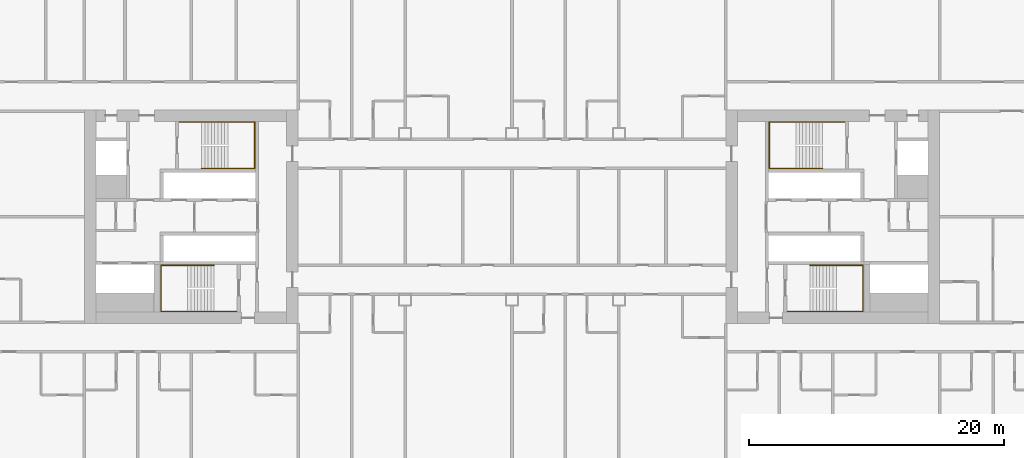
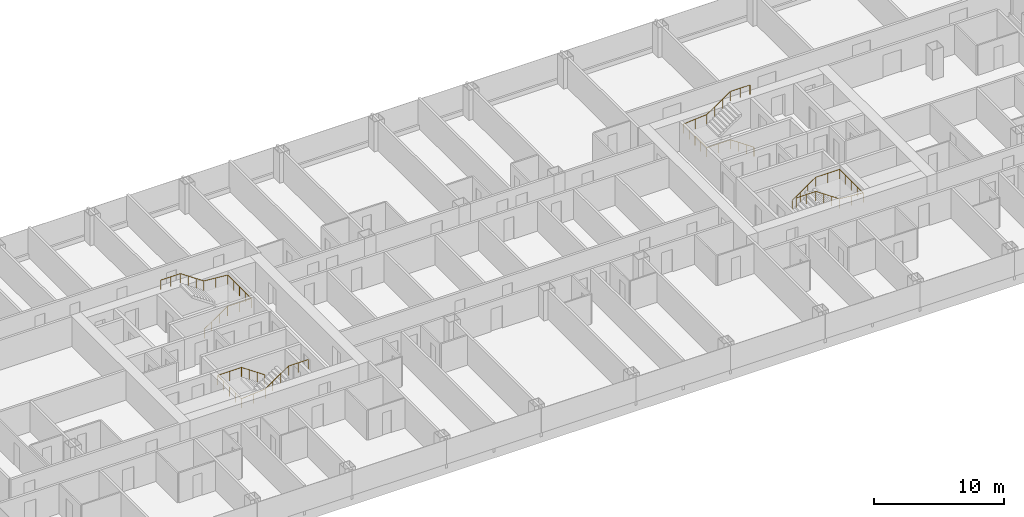
# One storey, part 29 of 29: 4 railings.
"""IFC4 building model written with IfcOpenShell, lengths in metres."""

from ifc_helpers import new_model, si_unit, direction, frame, origin, origin_2d, place, context, subcontext, project, spatial, circle, extrude, material, type_object, element, save


model = new_model("IFC4")

# Units and contexts
model_context = context("Model", 3, precision=1e-05, world=origin(), true_north=direction((0.0, 1.0)))
body_context = subcontext(model_context, "Body", "Model", "MODEL_VIEW")
ifc_project = project(units=[si_unit("LENGTHUNIT", "METRE"), si_unit("AREAUNIT", "SQUARE_METRE"), si_unit("VOLUMEUNIT", "CUBIC_METRE"), si_unit("PLANEANGLEUNIT", "RADIAN"), si_unit("MASSUNIT", "GRAM", prefix="KILO")], contexts=[model_context])

# Site, building, storey
site_placement = place(None, origin())
site = spatial("IfcSite", under=ifc_project, at=site_placement, CompositionType="ELEMENT")
building_placement = place(site_placement, origin())
building = spatial("IfcBuilding", under=site, at=building_placement, Name="Hakoniwa Tower and Hamabe Station Hall", CompositionType="ELEMENT")
storey_placement = place(building_placement, frame((0.0, 0.0, 29.39990234375)))
storey = spatial("IfcBuildingStorey", under=building, at=storey_placement, Name="L07", CompositionType="ELEMENT", Elevation=29.39990234375)

# Railings
ifc_material = material(Name="Stainless steel SUS304", Category="steel")
railing_type = type_object("IfcRailingType", Name="STAIR HANDRAIL 900", PredefinedType="HANDRAIL", material=ifc_material)
railing_1_placement = place(storey_placement, frame((-24.39990234375, 3.81005859375, 0.177978515625)))
element("IfcRailing", 1, at=railing_1_placement, inside=storey, type_object=railing_type, Name="Handrail ST-1 L07 1", PredefinedType="HANDRAIL", context=body_context, shape_type="SweptSolid", body=[
    extrude(circle(Radius=0.02392578125, at=origin_2d()), frame((0.0, 0.0, 0.8759765625), z_axis=(0.825478349766, 0.0, 0.564433781827), x_axis=(0.0, 1.0, 0.0)), (0.0, 0.0, 1.0), 2.51953125),
    extrude(circle(Radius=0.02392578125, at=origin_2d()), frame((2.079833984375, 0.0, 2.2978515625), z_axis=(1.0, 0.0, 0.0), x_axis=(0.0, 1.0, 0.0)), (0.0, 0.0, 1.0), 2.110107421875),
    extrude(circle(Radius=0.02392578125, at=origin_2d()), frame((4.18994140625, 0.0, 2.2978515625), z_axis=(0.0, 1.0, 0.0), x_axis=(-1.0, 0.0, 0.0)), (0.0, 0.0, 1.0), 3.6298828125),
    extrude(circle(Radius=0.02392578125, at=origin_2d()), frame((4.18994140625, 3.6298828125, 2.2978515625), z_axis=(-0.996471417081, 0.0, 0.083932800143), x_axis=(0.0, -1.0, 0.0)), (0.0, 0.0, 1.0), 2.11767578125),
    extrude(circle(Radius=0.02392578125, at=origin_2d()), frame((2.079833984375, 3.6298828125, 2.4755859375), z_axis=(-0.825433201882, 0.0, 0.564499804456), x_axis=(0.0, -1.0, 0.0)), (0.0, 0.0, 1.0), 2.519775390625),
    extrude(circle(Radius=0.02392578125, at=origin_2d()), frame((0.0, 3.6298828125, 3.89794921875), z_axis=(-1.0, 0.0, 0.0), x_axis=(0.0, -1.0, 0.0)), (0.0, 0.0, 1.0), 1.739990234375),
    extrude(circle(Radius=0.02099609375, at=origin_2d()), origin(), (0.0, 0.0, 1.0), 0.851806640625),
    extrude(circle(Radius=0.02099609375, at=origin_2d()), frame((0.693359375, 0.0, 0.47412109375)), (0.0, 0.0, 1.0), 0.851806640625),
    extrude(circle(Radius=0.02099609375, at=origin_2d()), frame((1.386474609375, 0.0, 0.947998046875)), (0.0, 0.0, 1.0), 0.851806640625),
    extrude(circle(Radius=0.02099609375, at=origin_2d()), frame((2.079833984375, 0.0, 1.422119140625)), (0.0, 0.0, 1.0), 0.851806640625),
    extrude(circle(Radius=0.02099609375, at=origin_2d()), frame((3.134765625, 0.0, 1.422119140625)), (0.0, 0.0, 1.0), 0.851806640625),
    extrude(circle(Radius=0.02099609375, at=origin_2d()), frame((4.18994140625, 0.0, 1.422119140625)), (0.0, 0.0, 1.0), 0.851806640625),
    extrude(circle(Radius=0.02099609375, at=origin_2d()), frame((4.18994140625, 0.907470703125, 1.422119140625)), (0.0, 0.0, 1.0), 0.851806640625),
    extrude(circle(Radius=0.02099609375, at=origin_2d()), frame((4.18994140625, 1.81494140625, 1.422119140625)), (0.0, 0.0, 1.0), 0.851806640625),
    extrude(circle(Radius=0.02099609375, at=origin_2d()), frame((4.18994140625, 2.722412109375, 1.422119140625)), (0.0, 0.0, 1.0), 0.851806640625),
    extrude(circle(Radius=0.02099609375, at=origin_2d()), frame((4.18994140625, 3.6298828125, 1.422119140625)), (0.0, 0.0, 1.0), 0.851806640625),
    extrude(circle(Radius=0.02099609375, at=origin_2d()), frame((3.134765625, 3.6298828125, 1.510986328125)), (0.0, 0.0, 1.0), 0.851806640625),
    extrude(circle(Radius=0.02099609375, at=origin_2d()), frame((2.079833984375, 3.6298828125, 1.599853515625)), (0.0, 0.0, 1.0), 0.851806640625),
    extrude(circle(Radius=0.02099609375, at=origin_2d()), frame((1.386474609375, 3.6298828125, 2.073974609375)), (0.0, 0.0, 1.0), 0.851806640625),
    extrude(circle(Radius=0.02099609375, at=origin_2d()), frame((0.693359375, 3.6298828125, 2.548095703125)), (0.0, 0.0, 1.0), 0.851806640625),
    extrude(circle(Radius=0.02099609375, at=origin_2d()), frame((0.0, 3.6298828125, 3.022216796875)), (0.0, 0.0, 1.0), 0.851806640625),
    extrude(circle(Radius=0.02099609375, at=origin_2d()), frame((-0.8701171875, 3.6298828125, 3.022216796875)), (0.0, 0.0, 1.0), 0.851806640625),
    extrude(circle(Radius=0.02099609375, at=origin_2d()), frame((-1.739990234375, 3.6298828125, 3.022216796875)), (0.0, 0.0, 1.0), 0.851806640625),
])
railing_2_placement = place(storey_placement, frame((-23.39990234375, -3.81005859375, 0.177978515625)))
element("IfcRailing", 2, at=railing_2_placement, inside=storey, type_object=railing_type, Name="Handrail ST-2 L07 1", PredefinedType="HANDRAIL", context=body_context, shape_type="SweptSolid", body=[
    extrude(circle(Radius=0.02392578125, at=origin_2d()), frame((0.0, 0.0, 0.8759765625), z_axis=(-0.82550921652, 0.0, 0.564388636881), x_axis=(0.0, -1.0, 0.0)), (0.0, 0.0, 1.0), 2.519775390625),
    extrude(circle(Radius=0.02392578125, at=origin_2d()), frame((-2.080078125, 0.0, 2.2978515625), z_axis=(-1.0, 0.0, 0.0), x_axis=(0.0, -1.0, 0.0)), (0.0, 0.0, 1.0), 2.110107421875),
    extrude(circle(Radius=0.02392578125, at=origin_2d()), frame((-4.190185546875, 0.0, 2.2978515625), z_axis=(0.0, -1.0, 0.0), x_axis=(1.0, 0.0, 0.0)), (0.0, 0.0, 1.0), 3.6298828125),
    extrude(circle(Radius=0.02392578125, at=origin_2d()), frame((-4.190185546875, -3.6298828125, 2.2978515625), z_axis=(0.996471417081, 0.0, 0.083932800143), x_axis=(0.0, 1.0, 0.0)), (0.0, 0.0, 1.0), 2.11767578125),
    extrude(circle(Radius=0.02392578125, at=origin_2d()), frame((-2.080078125, -3.6298828125, 2.4755859375), z_axis=(0.825464074169, 0.0, 0.564454659168), x_axis=(0.0, 1.0, 0.0)), (0.0, 0.0, 1.0), 2.519775390625),
    extrude(circle(Radius=0.02392578125, at=origin_2d()), frame((0.0, -3.6298828125, 3.89794921875), z_axis=(1.0, 0.0, 0.0), x_axis=(0.0, 1.0, 0.0)), (0.0, 0.0, 1.0), 1.739990234375),
    extrude(circle(Radius=0.02099609375, at=origin_2d()), origin(), (0.0, 0.0, 1.0), 0.851806640625),
    extrude(circle(Radius=0.02099609375, at=origin_2d()), frame((-0.693359375, 0.0, 0.47412109375)), (0.0, 0.0, 1.0), 0.851806640625),
    extrude(circle(Radius=0.02099609375, at=origin_2d()), frame((-1.38671875, 0.0, 0.947998046875)), (0.0, 0.0, 1.0), 0.851806640625),
    extrude(circle(Radius=0.02099609375, at=origin_2d()), frame((-2.080078125, 0.0, 1.422119140625)), (0.0, 0.0, 1.0), 0.851806640625),
    extrude(circle(Radius=0.02099609375, at=origin_2d()), frame((-3.13525390625, 0.0, 1.422119140625)), (0.0, 0.0, 1.0), 0.851806640625),
    extrude(circle(Radius=0.02099609375, at=origin_2d()), frame((-4.190185546875, 0.0, 1.422119140625)), (0.0, 0.0, 1.0), 0.851806640625),
    extrude(circle(Radius=0.02099609375, at=origin_2d()), frame((-4.190185546875, -0.907470703125, 1.422119140625)), (0.0, 0.0, 1.0), 0.851806640625),
    extrude(circle(Radius=0.02099609375, at=origin_2d()), frame((-4.190185546875, -1.81494140625, 1.422119140625)), (0.0, 0.0, 1.0), 0.851806640625),
    extrude(circle(Radius=0.02099609375, at=origin_2d()), frame((-4.190185546875, -2.722412109375, 1.422119140625)), (0.0, 0.0, 1.0), 0.851806640625),
    extrude(circle(Radius=0.02099609375, at=origin_2d()), frame((-4.190185546875, -3.6298828125, 1.422119140625)), (0.0, 0.0, 1.0), 0.851806640625),
    extrude(circle(Radius=0.02099609375, at=origin_2d()), frame((-3.13525390625, -3.6298828125, 1.510986328125)), (0.0, 0.0, 1.0), 0.851806640625),
    extrude(circle(Radius=0.02099609375, at=origin_2d()), frame((-2.080078125, -3.6298828125, 1.599853515625)), (0.0, 0.0, 1.0), 0.851806640625),
    extrude(circle(Radius=0.02099609375, at=origin_2d()), frame((-1.38671875, -3.6298828125, 2.073974609375)), (0.0, 0.0, 1.0), 0.851806640625),
    extrude(circle(Radius=0.02099609375, at=origin_2d()), frame((-0.693359375, -3.6298828125, 2.548095703125)), (0.0, 0.0, 1.0), 0.851806640625),
    extrude(circle(Radius=0.02099609375, at=origin_2d()), frame((0.0, -3.6298828125, 3.022216796875)), (0.0, 0.0, 1.0), 0.851806640625),
    extrude(circle(Radius=0.02099609375, at=origin_2d()), frame((0.8701171875, -3.6298828125, 3.022216796875)), (0.0, 0.0, 1.0), 0.851806640625),
    extrude(circle(Radius=0.02099609375, at=origin_2d()), frame((1.739990234375, -3.6298828125, 3.022216796875)), (0.0, 0.0, 1.0), 0.851806640625),
])
railing_3_placement = place(storey_placement, frame((24.39990234375, 3.81005859375, 0.177978515625)))
element("IfcRailing", 3, at=railing_3_placement, inside=storey, type_object=railing_type, Name="Handrail ST-3 L07 1", PredefinedType="HANDRAIL", context=body_context, shape_type="SweptSolid", body=[
    extrude(circle(Radius=0.02392578125, at=origin_2d()), frame((0.0, 0.0, 0.8759765625), z_axis=(-0.825478349766, 0.0, 0.564433781827), x_axis=(0.0, -1.0, 0.0)), (0.0, 0.0, 1.0), 2.51953125),
    extrude(circle(Radius=0.02392578125, at=origin_2d()), frame((-2.079833984375, 0.0, 2.2978515625), z_axis=(-1.0, 0.0, 0.0), x_axis=(0.0, -1.0, 0.0)), (0.0, 0.0, 1.0), 2.110107421875),
    extrude(circle(Radius=0.02392578125, at=origin_2d()), frame((-4.18994140625, 0.0, 2.2978515625), z_axis=(0.0, 1.0, 0.0), x_axis=(-1.0, 0.0, 0.0)), (0.0, 0.0, 1.0), 3.6298828125),
    extrude(circle(Radius=0.02392578125, at=origin_2d()), frame((-4.18994140625, 3.6298828125, 2.2978515625), z_axis=(0.996471417081, 0.0, 0.083932800143), x_axis=(0.0, 1.0, 0.0)), (0.0, 0.0, 1.0), 2.11767578125),
    extrude(circle(Radius=0.02392578125, at=origin_2d()), frame((-2.079833984375, 3.6298828125, 2.4755859375), z_axis=(0.825433201882, 0.0, 0.564499804456), x_axis=(0.0, 1.0, 0.0)), (0.0, 0.0, 1.0), 2.519775390625),
    extrude(circle(Radius=0.02392578125, at=origin_2d()), frame((0.0, 3.6298828125, 3.89794921875), z_axis=(1.0, 0.0, 0.0), x_axis=(0.0, 1.0, 0.0)), (0.0, 0.0, 1.0), 1.739990234375),
    extrude(circle(Radius=0.02099609375, at=origin_2d()), origin(), (0.0, 0.0, 1.0), 0.851806640625),
    extrude(circle(Radius=0.02099609375, at=origin_2d()), frame((-0.693359375, 0.0, 0.47412109375)), (0.0, 0.0, 1.0), 0.851806640625),
    extrude(circle(Radius=0.02099609375, at=origin_2d()), frame((-1.386474609375, 0.0, 0.947998046875)), (0.0, 0.0, 1.0), 0.851806640625),
    extrude(circle(Radius=0.02099609375, at=origin_2d()), frame((-2.079833984375, 0.0, 1.422119140625)), (0.0, 0.0, 1.0), 0.851806640625),
    extrude(circle(Radius=0.02099609375, at=origin_2d()), frame((-3.134765625, 0.0, 1.422119140625)), (0.0, 0.0, 1.0), 0.851806640625),
    extrude(circle(Radius=0.02099609375, at=origin_2d()), frame((-4.18994140625, 0.0, 1.422119140625)), (0.0, 0.0, 1.0), 0.851806640625),
    extrude(circle(Radius=0.02099609375, at=origin_2d()), frame((-4.18994140625, 0.907470703125, 1.422119140625)), (0.0, 0.0, 1.0), 0.851806640625),
    extrude(circle(Radius=0.02099609375, at=origin_2d()), frame((-4.18994140625, 1.81494140625, 1.422119140625)), (0.0, 0.0, 1.0), 0.851806640625),
    extrude(circle(Radius=0.02099609375, at=origin_2d()), frame((-4.18994140625, 2.722412109375, 1.422119140625)), (0.0, 0.0, 1.0), 0.851806640625),
    extrude(circle(Radius=0.02099609375, at=origin_2d()), frame((-4.18994140625, 3.6298828125, 1.422119140625)), (0.0, 0.0, 1.0), 0.851806640625),
    extrude(circle(Radius=0.02099609375, at=origin_2d()), frame((-3.134765625, 3.6298828125, 1.510986328125)), (0.0, 0.0, 1.0), 0.851806640625),
    extrude(circle(Radius=0.02099609375, at=origin_2d()), frame((-2.079833984375, 3.6298828125, 1.599853515625)), (0.0, 0.0, 1.0), 0.851806640625),
    extrude(circle(Radius=0.02099609375, at=origin_2d()), frame((-1.386474609375, 3.6298828125, 2.073974609375)), (0.0, 0.0, 1.0), 0.851806640625),
    extrude(circle(Radius=0.02099609375, at=origin_2d()), frame((-0.693359375, 3.6298828125, 2.548095703125)), (0.0, 0.0, 1.0), 0.851806640625),
    extrude(circle(Radius=0.02099609375, at=origin_2d()), frame((0.0, 3.6298828125, 3.022216796875)), (0.0, 0.0, 1.0), 0.851806640625),
    extrude(circle(Radius=0.02099609375, at=origin_2d()), frame((0.8701171875, 3.6298828125, 3.022216796875)), (0.0, 0.0, 1.0), 0.851806640625),
    extrude(circle(Radius=0.02099609375, at=origin_2d()), frame((1.739990234375, 3.6298828125, 3.022216796875)), (0.0, 0.0, 1.0), 0.851806640625),
])
railing_4_placement = place(storey_placement, frame((23.39990234375, -3.81005859375, 0.177978515625)))
element("IfcRailing", 4, at=railing_4_placement, inside=storey, type_object=railing_type, Name="Handrail ST-4 L07 1", PredefinedType="HANDRAIL", context=body_context, shape_type="SweptSolid", body=[
    extrude(circle(Radius=0.02392578125, at=origin_2d()), frame((0.0, 0.0, 0.8759765625), z_axis=(0.82550921652, 0.0, 0.564388636881), x_axis=(0.0, 1.0, 0.0)), (0.0, 0.0, 1.0), 2.519775390625),
    extrude(circle(Radius=0.02392578125, at=origin_2d()), frame((2.080078125, 0.0, 2.2978515625), z_axis=(1.0, 0.0, 0.0), x_axis=(0.0, 1.0, 0.0)), (0.0, 0.0, 1.0), 2.110107421875),
    extrude(circle(Radius=0.02392578125, at=origin_2d()), frame((4.190185546875, 0.0, 2.2978515625), z_axis=(0.0, -1.0, 0.0), x_axis=(1.0, 0.0, 0.0)), (0.0, 0.0, 1.0), 3.6298828125),
    extrude(circle(Radius=0.02392578125, at=origin_2d()), frame((4.190185546875, -3.6298828125, 2.2978515625), z_axis=(-0.996471417081, 0.0, 0.083932800143), x_axis=(0.0, -1.0, 0.0)), (0.0, 0.0, 1.0), 2.11767578125),
    extrude(circle(Radius=0.02392578125, at=origin_2d()), frame((2.080078125, -3.6298828125, 2.4755859375), z_axis=(-0.825464074169, 0.0, 0.564454659168), x_axis=(0.0, -1.0, 0.0)), (0.0, 0.0, 1.0), 2.519775390625),
    extrude(circle(Radius=0.02392578125, at=origin_2d()), frame((0.0, -3.6298828125, 3.89794921875), z_axis=(-1.0, 0.0, 0.0), x_axis=(0.0, -1.0, 0.0)), (0.0, 0.0, 1.0), 1.739990234375),
    extrude(circle(Radius=0.02099609375, at=origin_2d()), origin(), (0.0, 0.0, 1.0), 0.851806640625),
    extrude(circle(Radius=0.02099609375, at=origin_2d()), frame((0.693359375, 0.0, 0.47412109375)), (0.0, 0.0, 1.0), 0.851806640625),
    extrude(circle(Radius=0.02099609375, at=origin_2d()), frame((1.38671875, 0.0, 0.947998046875)), (0.0, 0.0, 1.0), 0.851806640625),
    extrude(circle(Radius=0.02099609375, at=origin_2d()), frame((2.080078125, 0.0, 1.422119140625)), (0.0, 0.0, 1.0), 0.851806640625),
    extrude(circle(Radius=0.02099609375, at=origin_2d()), frame((3.13525390625, 0.0, 1.422119140625)), (0.0, 0.0, 1.0), 0.851806640625),
    extrude(circle(Radius=0.02099609375, at=origin_2d()), frame((4.190185546875, 0.0, 1.422119140625)), (0.0, 0.0, 1.0), 0.851806640625),
    extrude(circle(Radius=0.02099609375, at=origin_2d()), frame((4.190185546875, -0.907470703125, 1.422119140625)), (0.0, 0.0, 1.0), 0.851806640625),
    extrude(circle(Radius=0.02099609375, at=origin_2d()), frame((4.190185546875, -1.81494140625, 1.422119140625)), (0.0, 0.0, 1.0), 0.851806640625),
    extrude(circle(Radius=0.02099609375, at=origin_2d()), frame((4.190185546875, -2.722412109375, 1.422119140625)), (0.0, 0.0, 1.0), 0.851806640625),
    extrude(circle(Radius=0.02099609375, at=origin_2d()), frame((4.190185546875, -3.6298828125, 1.422119140625)), (0.0, 0.0, 1.0), 0.851806640625),
    extrude(circle(Radius=0.02099609375, at=origin_2d()), frame((3.13525390625, -3.6298828125, 1.510986328125)), (0.0, 0.0, 1.0), 0.851806640625),
    extrude(circle(Radius=0.02099609375, at=origin_2d()), frame((2.080078125, -3.6298828125, 1.599853515625)), (0.0, 0.0, 1.0), 0.851806640625),
    extrude(circle(Radius=0.02099609375, at=origin_2d()), frame((1.38671875, -3.6298828125, 2.073974609375)), (0.0, 0.0, 1.0), 0.851806640625),
    extrude(circle(Radius=0.02099609375, at=origin_2d()), frame((0.693359375, -3.6298828125, 2.548095703125)), (0.0, 0.0, 1.0), 0.851806640625),
    extrude(circle(Radius=0.02099609375, at=origin_2d()), frame((0.0, -3.6298828125, 3.022216796875)), (0.0, 0.0, 1.0), 0.851806640625),
    extrude(circle(Radius=0.02099609375, at=origin_2d()), frame((-0.8701171875, -3.6298828125, 3.022216796875)), (0.0, 0.0, 1.0), 0.851806640625),
    extrude(circle(Radius=0.02099609375, at=origin_2d()), frame((-1.739990234375, -3.6298828125, 3.022216796875)), (0.0, 0.0, 1.0), 0.851806640625),
])

save(model, "model.ifc")
